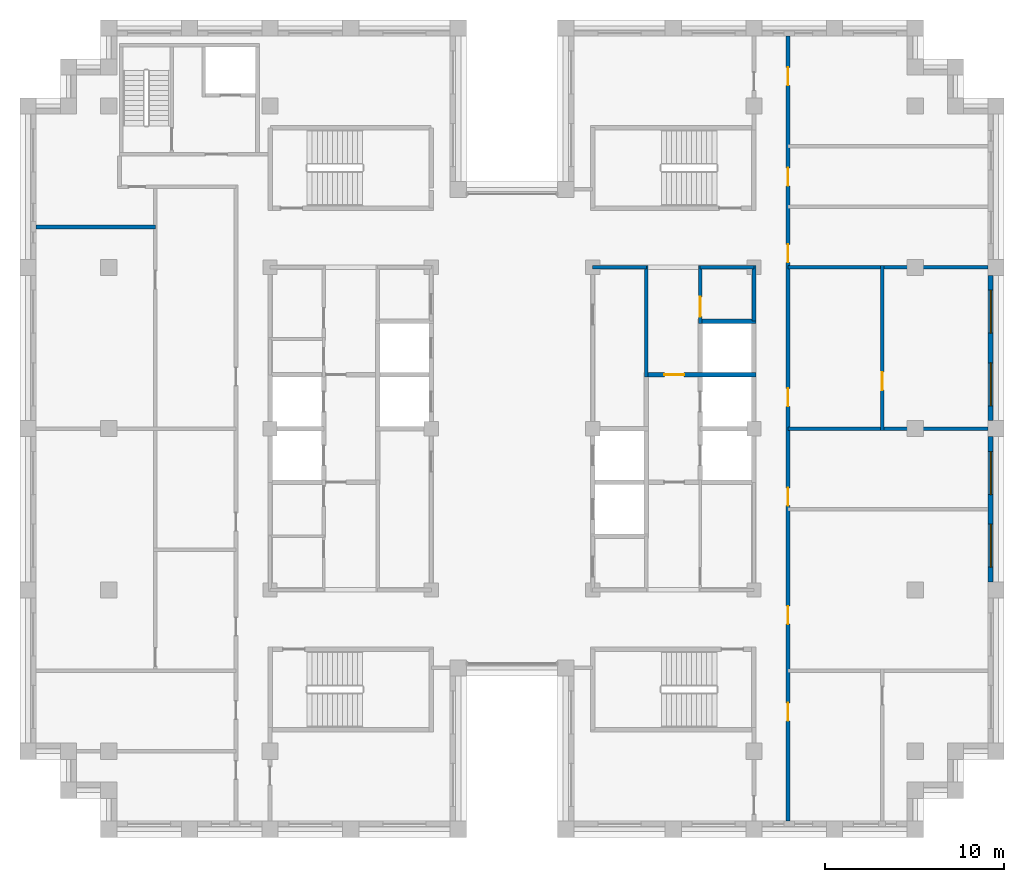
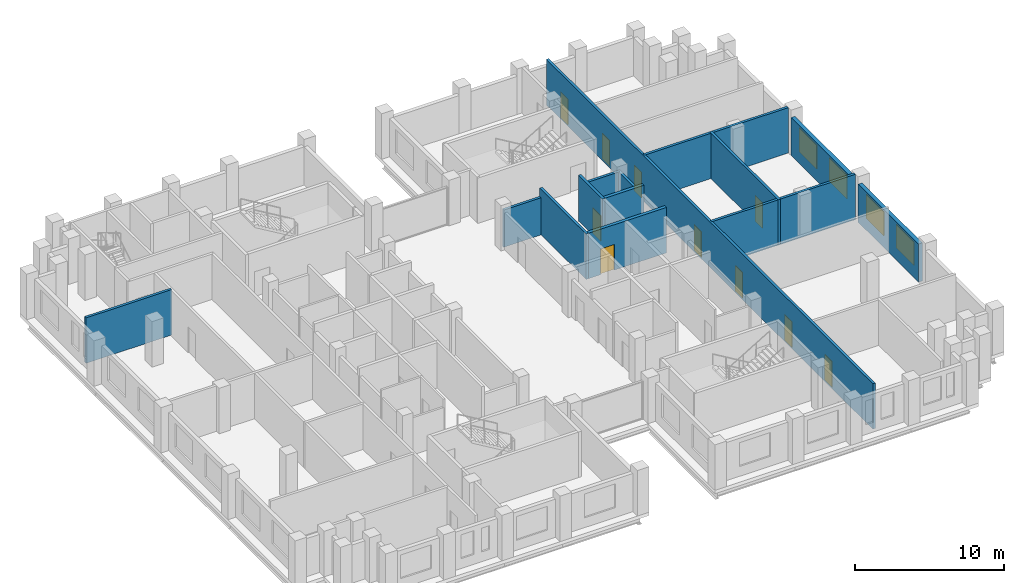
# One storey, part 9 of 13: 14 walls, 10 doors, 4 windows, 14 openings.
"""IFC4 building model written with IfcOpenShell, lengths in metres."""

import ifcopenshell
import ifcopenshell.guid

model = None  # the IFC model being written
_history = None  # IfcOwnerHistory: only IFC2X3 demands one
_inside = {}  # id of a spatial element -> (the spatial element, [elements in it])
_under = {}  # id of a project, library or spatial element -> (it, [spatial elements below it])
_declared = {}  # id of a project -> (the project, [libraries it declares])
_typed = {}  # id of a type object -> (the type object, [elements of that type])
_made_of = {}  # id of a material, layer set ... -> (it, [elements and type objects made of it])


def new_model(schema):
    """Start an empty IFC model of exactly this schema.

    Asked for "IFC4X3", IfcOpenShell would pick the latest addendum, in which some entities
    have other attributes; the version numbers below select the first issue.
    IFC2X3 requires an IfcOwnerHistory on every rooted entity: one is made here for all.
    """
    global model, _history
    if schema == "IFC4X3":
        model = ifcopenshell.file(schema_version=(4, 3, 0, 0))
    else:
        model = ifcopenshell.file(schema=schema)
    _inside.clear()
    _under.clear()
    _declared.clear()
    _typed.clear()
    _made_of.clear()
    _history = None
    if model.schema == "IFC2X3":
        org = make("IfcOrganization", Name="unknown")
        user = make(
            "IfcPersonAndOrganization",
            ThePerson=make("IfcPerson", FamilyName="unknown"),
            TheOrganization=org,
        )
        app = make(
            "IfcApplication",
            ApplicationDeveloper=org,
            Version="unknown",
            ApplicationFullName="unknown",
            ApplicationIdentifier="unknown",
        )
        _history = make(
            "IfcOwnerHistory",
            OwningUser=user,
            OwningApplication=app,
            ChangeAction="ADDED",
            CreationDate=0,
        )
    return model


def make(cls, **values):
    """One entity of the class cls with the attributes given. An attribute that is None is left unset."""
    return model.create_entity(
        cls, **{name: value for name, value in values.items() if value is not None}
    )


def rooted(cls, **values):
    """An entity with a GlobalId (a new one), such as an element, a storey or a relation."""
    return make(cls, GlobalId=ifcopenshell.guid.new(), OwnerHistory=_history, **values)


def si_unit(unit_type, name, prefix=None):
    """IfcSIUnit, for example si_unit("LENGTHUNIT", "METRE", prefix="MILLI")."""
    return make("IfcSIUnit", UnitType=unit_type, Prefix=prefix, Name=name)


def assignment(units):
    """IfcUnitAssignment: the units of a project."""
    return None if units is None else make("IfcUnitAssignment", Units=units)


def point(xyz):
    """IfcCartesianPoint."""
    return None if xyz is None else make("IfcCartesianPoint", Coordinates=xyz)


def direction(xyz):
    """IfcDirection."""
    return None if xyz is None else make("IfcDirection", DirectionRatios=xyz)


def frame(location, z_axis=None, x_axis=None):
    """IfcAxis2Placement3D, a coordinate frame: its origin and axes. An axis left out is left unset."""
    return make(
        "IfcAxis2Placement3D",
        Location=point(location),
        Axis=direction(z_axis),
        RefDirection=direction(x_axis),
    )


def frame_2d(location, x_axis=None):
    """IfcAxis2Placement2D, a coordinate frame in the plane: its origin and x axis."""
    return make(
        "IfcAxis2Placement2D", Location=point(location), RefDirection=direction(x_axis)
    )


def origin():
    """The frame at (0, 0, 0) with its axes left unset."""
    return frame((0.0, 0.0, 0.0))


def place(relative_to, where):
    """IfcLocalPlacement: puts the frame where relative to a parent placement (None: the world)."""
    return make(
        "IfcLocalPlacement", PlacementRelTo=relative_to, RelativePlacement=where
    )


def context(
    kind, dimensions, precision=None, world=None, true_north=None, identifier=None
):
    """IfcGeometricRepresentationContext, for example the 3D "Model" context."""
    return make(
        "IfcGeometricRepresentationContext",
        ContextIdentifier=identifier,
        ContextType=kind,
        CoordinateSpaceDimension=dimensions,
        Precision=precision,
        WorldCoordinateSystem=world,
        TrueNorth=true_north,
    )


def subcontext(parent, identifier, kind, view, scale=None):
    """IfcGeometricRepresentationSubContext, for example "Body" below "Model"."""
    return make(
        "IfcGeometricRepresentationSubContext",
        ContextIdentifier=identifier,
        ContextType=kind,
        ParentContext=parent,
        TargetScale=scale,
        TargetView=view,
    )


def project(units=None, contexts=None):
    """IfcProject with its units and contexts."""
    return rooted(
        "IfcProject",
        Name="project",
        RepresentationContexts=contexts,
        UnitsInContext=assignment(units),
    )


def spatial(cls, under=None, at=None, **own):
    """A site, building, storey or space (cls), placed at a placement, below another one or the project."""
    s = rooted(cls, ObjectPlacement=at, **own)
    if under is not None:
        _under.setdefault(under.id(), (under, []))[1].append(s)
    return s


def profile(cls, at=None, kind="AREA", **sizes):
    """A parametric profile (cls). Its sizes go by their IFC names, for example OverallWidth=200.0."""
    return make(cls, ProfileType=kind, Position=at, **sizes)


def rectangle(**sizes):
    """IfcRectangleProfileDef."""
    return profile("IfcRectangleProfileDef", **sizes)


def extrude(swept, where, along, depth):
    """IfcExtrudedAreaSolid: the profile swept, set in the frame where, extruded along a direction by depth."""
    return make(
        "IfcExtrudedAreaSolid",
        SweptArea=swept,
        Position=where,
        ExtrudedDirection=direction(along),
        Depth=depth,
    )


def shape(context_of_items, identifier, shape_type, items):
    """IfcShapeRepresentation: the items that make up one representation, for example the "Body"."""
    return make(
        "IfcShapeRepresentation",
        ContextOfItems=context_of_items,
        RepresentationIdentifier=identifier,
        RepresentationType=shape_type,
        Items=items,
    )


def material(Name=None, Category=None):
    """IfcMaterial."""
    return make("IfcMaterial", Name=Name, Category=Category)


def layer(
    of_material, thickness, ventilated=None, Name=None, Category=None, Priority=None
):
    """IfcMaterialLayer: one layer of a wall or slab, of a material (None: an air gap)."""
    return make(
        "IfcMaterialLayer",
        Material=of_material,
        LayerThickness=thickness,
        IsVentilated=ventilated,
        Name=Name,
        Category=Category,
        Priority=Priority,
    )


def layer_set(layers, Name=None):
    """IfcMaterialLayerSet."""
    return make("IfcMaterialLayerSet", MaterialLayers=layers, LayerSetName=Name)


def made_of(thing, what):
    """Note that an element or type object is made of a material, layer set ...; save() writes the relation."""
    if what is not None:
        _made_of.setdefault(what.id(), (what, []))[1].append(thing)
    return thing


def type_object(cls, material=None, **own):
    """A type object (cls), such as IfcWallType, which elements share."""
    return made_of(rooted(cls, **own), material)


def element(
    cls,
    number,
    at=None,
    inside=None,
    cuts=None,
    type_object=None,
    material=None,
    context=None,
    identifier="Body",
    shape_type=None,
    held_by="IfcProductDefinitionShape",
    body=None,
    shapes=None,
    **own,
):
    """One element of the class cls, such as IfcWall. Its Tag is "e" and its number.

    at: its placement. inside: the storey or other place that contains it. cuts: it is an
    opening in that element (IfcRelVoidsElement). A single representation is given by context,
    identifier, shape_type and body (its items); several are given by shapes. held_by: the class
    of the entity that holds the representations. save() writes the other relations.
    """
    e = rooted(cls, Tag="e%d" % number, ObjectPlacement=at, **own)
    if body is not None:
        shapes = [shape(context, identifier, shape_type, body)]
    if shapes is not None:
        e.Representation = make(held_by, Representations=shapes)
    if inside is not None:
        _inside.setdefault(inside.id(), (inside, []))[1].append(e)
    if cuts is not None:
        rooted(
            "IfcRelVoidsElement", RelatingBuildingElement=cuts, RelatedOpeningElement=e
        )
    if type_object is not None:
        _typed.setdefault(type_object.id(), (type_object, []))[1].append(e)
    return made_of(e, material)


def fill(opening, filler):
    """IfcRelFillsElement: the door or window that sits in an opening."""
    return rooted(
        "IfcRelFillsElement",
        RelatingOpeningElement=opening,
        RelatedBuildingElement=filler,
    )


def aggregate(whole, parts):
    """IfcRelAggregates: a whole, such as a stair, and the parts it consists of."""
    return rooted("IfcRelAggregates", RelatingObject=whole, RelatedObjects=parts)


def save(model, path):
    """Write the relations noted so far, then the file.

    IfcRelAggregates (storeys below a building ...), IfcRelContainedInSpatialStructure (elements
    in a storey), IfcRelDefinesByType, IfcRelAssociatesMaterial and IfcRelDeclares: one each for
    every whole, place, type object, material and project.
    """
    for whole, parts in _under.values():
        aggregate(whole, parts)
    for where, things in _inside.values():
        rooted(
            "IfcRelContainedInSpatialStructure",
            RelatedElements=things,
            RelatingStructure=where,
        )
    for kind, things in _typed.values():
        rooted("IfcRelDefinesByType", RelatedObjects=things, RelatingType=kind)
    for what, things in _made_of.values():
        rooted("IfcRelAssociatesMaterial", RelatedObjects=things, RelatingMaterial=what)
    for by, libraries in _declared.values():
        rooted("IfcRelDeclares", RelatingContext=by, RelatedDefinitions=libraries)
    model.write(path)


model = new_model("IFC4")

# Units and contexts
model_context = context("Model", 3, precision=1e-05, world=origin(), true_north=direction((0.0, 1.0)))
body_context = subcontext(model_context, "Body", "Model", "MODEL_VIEW")
ifc_project = project(units=[si_unit("LENGTHUNIT", "METRE"), si_unit("AREAUNIT", "SQUARE_METRE"), si_unit("VOLUMEUNIT", "CUBIC_METRE"), si_unit("PLANEANGLEUNIT", "RADIAN"), si_unit("MASSUNIT", "GRAM", prefix="KILO")], contexts=[model_context])

# Site, building, storey
site_placement = place(None, origin())
site = spatial("IfcSite", under=ifc_project, at=site_placement, CompositionType="ELEMENT")
building_placement = place(site_placement, origin())
building = spatial("IfcBuilding", under=site, at=building_placement, Name="Corbelhall Arena Tower", CompositionType="ELEMENT")
storey_placement = place(building_placement, frame((0.0, 0.0, 254.0)))
storey = spatial("IfcBuildingStorey", under=building, at=storey_placement, Name="L54", CompositionType="ELEMENT", Elevation=254.0)

# Wall, openings, windows
ifc_material_1 = material(Name="Precast concrete C40/50 with granite facing", Category="masonry")
ifc_layer_1 = layer(ifc_material_1, 0.300048828125)
ifc_layer_set_1 = layer_set([ifc_layer_1], Name="EV-IW1 Infill panel 300")
wall_type_1 = type_object("IfcWallType", Name="EV-IW1 Infill panel 300", PredefinedType="SOLIDWALL", material=ifc_layer_set_1)
wall_1_placement = place(storey_placement, frame((26.699951171875, -8.550048828125, 0.0), z_axis=(0.0, 0.0, 1.0), x_axis=(0.0, 1.0, 0.0)))
wall_1 = element("IfcWall", 1, at=wall_1_placement, inside=storey, type_object=wall_type_1, Name="Infill panel IW1", PredefinedType="SOLIDWALL", context=body_context, shape_type="SweptSolid", body=[
    extrude(rectangle(XDim=8.10009765625, YDim=0.300048828125, at=frame_2d((4.050048828125, 0.0))), origin(), (0.0, 0.0, 1.0), 3.1201171875),
])
opening_1_placement = place(wall_1_placement, frame((0.824951171875, 0.0, 0.800048828125)))
opening_1 = element("IfcOpeningElement", 2, at=opening_1_placement, cuts=wall_1, Name="Opening WN1", PredefinedType="OPENING", context=body_context, shape_type="SweptSolid", body=[
    extrude(rectangle(XDim=2.39990234375, YDim=1.949951171875, at=frame_2d((1.199951171875, 0.97509765625))), frame((0.0, 0.14990234375, 0.0), z_axis=(0.0, -1.0, 0.0), x_axis=(1.0, 0.0, 0.0)), (0.0, 0.0, 1.0), 0.300048828125),
])
opening_2_placement = place(wall_1_placement, frame((4.875, 0.0, 0.800048828125)))
opening_2 = element("IfcOpeningElement", 3, at=opening_2_placement, cuts=wall_1, Name="Opening WN1", PredefinedType="OPENING", context=body_context, shape_type="SweptSolid", body=[
    extrude(rectangle(XDim=2.39990234375, YDim=1.949951171875, at=frame_2d((1.199951171875, 0.97509765625))), frame((0.0, 0.14990234375, 0.0), z_axis=(0.0, -1.0, 0.0), x_axis=(1.0, 0.0, 0.0)), (0.0, 0.0, 1.0), 0.300048828125),
])
ifc_material_2 = material(Name="Aluminium black anodised", Category="aluminium")
window_type = type_object("IfcWindowType", Name="EV-WN1 Office window", PartitioningType="SINGLE_PANEL", PredefinedType="WINDOW", material=ifc_material_2)
window_1_placement = place(opening_1_placement, origin())
window_1 = element("IfcWindow", 4, at=window_1_placement, inside=storey, type_object=window_type, Name="Window WN1", OverallHeight=1.949951171875, OverallWidth=2.39990234375, PartitioningType="SINGLE_PANEL", PredefinedType="WINDOW", context=body_context, shape_type="SweptSolid", body=[
    extrude(rectangle(XDim=2.39990234375, YDim=1.949951171875, at=frame_2d((1.199951171875, 0.97509765625))), frame((0.0, 0.030029296875, 0.0), z_axis=(0.0, -1.0, 0.0), x_axis=(1.0, 0.0, 0.0)), (0.0, 0.0, 1.0), 0.06005859375),
])
fill(opening_1, window_1)
window_2_placement = place(opening_2_placement, origin())
window_2 = element("IfcWindow", 5, at=window_2_placement, inside=storey, type_object=window_type, Name="Window WN1", OverallHeight=1.949951171875, OverallWidth=2.39990234375, PartitioningType="SINGLE_PANEL", PredefinedType="WINDOW", context=body_context, shape_type="SweptSolid", body=[
    extrude(rectangle(XDim=2.39990234375, YDim=1.949951171875, at=frame_2d((1.199951171875, 0.97509765625))), frame((0.0, 0.030029296875, 0.0), z_axis=(0.0, -1.0, 0.0), x_axis=(1.0, 0.0, 0.0)), (0.0, 0.0, 1.0), 0.06005859375),
])
fill(opening_2, window_2)

wall_2_placement = place(storey_placement, frame((26.699951171875, 0.449951171875, 0.0), z_axis=(0.0, 0.0, 1.0), x_axis=(0.0, 1.0, 0.0)))
wall_2 = element("IfcWall", 6, at=wall_2_placement, inside=storey, type_object=wall_type_1, Name="Infill panel IW1", PredefinedType="SOLIDWALL", context=body_context, shape_type="SweptSolid", body=[
    extrude(rectangle(XDim=8.10009765625, YDim=0.300048828125, at=frame_2d((4.050048828125, 0.0))), origin(), (0.0, 0.0, 1.0), 3.1201171875),
])
opening_3_placement = place(wall_2_placement, frame((0.824951171875, 0.0, 0.800048828125)))
opening_3 = element("IfcOpeningElement", 7, at=opening_3_placement, cuts=wall_2, Name="Opening WN1", PredefinedType="OPENING", context=body_context, shape_type="SweptSolid", body=[
    extrude(rectangle(XDim=2.39990234375, YDim=1.949951171875, at=frame_2d((1.199951171875, 0.97509765625))), frame((0.0, 0.14990234375, 0.0), z_axis=(0.0, -1.0, 0.0), x_axis=(1.0, 0.0, 0.0)), (0.0, 0.0, 1.0), 0.300048828125),
])
opening_4_placement = place(wall_2_placement, frame((4.875, 0.0, 0.800048828125)))
opening_4 = element("IfcOpeningElement", 8, at=opening_4_placement, cuts=wall_2, Name="Opening WN1", PredefinedType="OPENING", context=body_context, shape_type="SweptSolid", body=[
    extrude(rectangle(XDim=2.39990234375, YDim=1.949951171875, at=frame_2d((1.199951171875, 0.97509765625))), frame((0.0, 0.14990234375, 0.0), z_axis=(0.0, -1.0, 0.0), x_axis=(1.0, 0.0, 0.0)), (0.0, 0.0, 1.0), 0.300048828125),
])
window_3_placement = place(opening_3_placement, origin())
window_3 = element("IfcWindow", 9, at=window_3_placement, inside=storey, type_object=window_type, Name="Window WN1", OverallHeight=1.949951171875, OverallWidth=2.39990234375, PartitioningType="SINGLE_PANEL", PredefinedType="WINDOW", context=body_context, shape_type="SweptSolid", body=[
    extrude(rectangle(XDim=2.39990234375, YDim=1.949951171875, at=frame_2d((1.199951171875, 0.97509765625))), frame((0.0, 0.030029296875, 0.0), z_axis=(0.0, -1.0, 0.0), x_axis=(1.0, 0.0, 0.0)), (0.0, 0.0, 1.0), 0.06005859375),
])
fill(opening_3, window_3)
window_4_placement = place(opening_4_placement, origin())
window_4 = element("IfcWindow", 10, at=window_4_placement, inside=storey, type_object=window_type, Name="Window WN1", OverallHeight=1.949951171875, OverallWidth=2.39990234375, PartitioningType="SINGLE_PANEL", PredefinedType="WINDOW", context=body_context, shape_type="SweptSolid", body=[
    extrude(rectangle(XDim=2.39990234375, YDim=1.949951171875, at=frame_2d((1.199951171875, 0.97509765625))), frame((0.0, 0.030029296875, 0.0), z_axis=(0.0, -1.0, 0.0), x_axis=(1.0, 0.0, 0.0)), (0.0, 0.0, 1.0), 0.06005859375),
])
fill(opening_4, window_4)

# Wall
ifc_material_3 = material(Name="Gypsum board on steel stud, acoustic", Category="steel")
ifc_layer_2 = layer(ifc_material_3, 0.199951171875)
ifc_layer_set_2 = layer_set([ifc_layer_2], Name="IN-W-DM200")
wall_type_2 = type_object("IfcWallType", Name="IN-W-DM200", PredefinedType="PARTITIONING", material=ifc_layer_set_2)
wall_3_placement = place(storey_placement, frame((-26.550048828125, 11.25, 0.0), z_axis=(0.0, 0.0, 1.0), x_axis=(1.0, 0.0, 0.0)))
element("IfcWall", 11, at=wall_3_placement, inside=storey, type_object=wall_type_2, Name="Partition 002", PredefinedType="PARTITIONING", context=body_context, shape_type="SweptSolid", body=[
    extrude(rectangle(XDim=6.650146484375, YDim=0.199951171875, at=frame_2d((3.3251953125, 0.0))), origin(), (0.0, 0.0, 1.0), 3.719970703125),
])

# Wall, openings, doors
wall_4_placement = place(storey_placement, frame((15.39990234375, 21.89990234375, 0.0), z_axis=(0.0, 0.0, 1.0), x_axis=(0.0, -1.0, 0.0)))
wall_4 = element("IfcWall", 12, at=wall_4_placement, inside=storey, type_object=wall_type_2, Name="Partition 017", PredefinedType="PARTITIONING", context=body_context, shape_type="SweptSolid", body=[
    extrude(rectangle(XDim=43.7998046875, YDim=0.199951171875, at=frame_2d((21.89990234375, 0.0))), origin(), (0.0, 0.0, 1.0), 3.719970703125),
])
opening_5_placement = place(wall_4_placement, frame((19.64990234375, 0.0, 0.0)))
opening_5 = element("IfcOpeningElement", 13, at=opening_5_placement, cuts=wall_4, Name="Opening 17029", PredefinedType="OPENING", context=body_context, shape_type="SweptSolid", body=[
    extrude(rectangle(XDim=1.0, YDim=2.10009765625, at=frame_2d((0.5, 1.050048828125))), frame((0.0, 0.10009765625, 0.0), z_axis=(0.0, -1.0, 0.0), x_axis=(1.0, 0.0, 0.0)), (0.0, 0.0, 1.0), 0.199951171875),
])
opening_6_placement = place(wall_4_placement, frame((11.625, 0.0, 0.0)))
opening_6 = element("IfcOpeningElement", 14, at=opening_6_placement, cuts=wall_4, Name="Opening 17031", PredefinedType="OPENING", context=body_context, shape_type="SweptSolid", body=[
    extrude(rectangle(XDim=1.0, YDim=2.10009765625, at=frame_2d((0.5, 1.050048828125))), frame((0.0, 0.10009765625, 0.0), z_axis=(0.0, -1.0, 0.0), x_axis=(1.0, 0.0, 0.0)), (0.0, 0.0, 1.0), 0.199951171875),
])
opening_7_placement = place(wall_4_placement, frame((7.35009765625, 0.0, 0.0)))
opening_7 = element("IfcOpeningElement", 15, at=opening_7_placement, cuts=wall_4, Name="Opening 17032", PredefinedType="OPENING", context=body_context, shape_type="SweptSolid", body=[
    extrude(rectangle(XDim=1.0, YDim=2.10009765625, at=frame_2d((0.5, 1.050048828125))), frame((0.0, 0.10009765625, 0.0), z_axis=(0.0, -1.0, 0.0), x_axis=(1.0, 0.0, 0.0)), (0.0, 0.0, 1.0), 0.199951171875),
])
opening_8_placement = place(wall_4_placement, frame((1.75, 0.0, 0.0)))
opening_8 = element("IfcOpeningElement", 16, at=opening_8_placement, cuts=wall_4, Name="Opening 17033", PredefinedType="OPENING", context=body_context, shape_type="SweptSolid", body=[
    extrude(rectangle(XDim=1.0, YDim=2.10009765625, at=frame_2d((0.5, 1.050048828125))), frame((0.0, 0.10009765625, 0.0), z_axis=(0.0, -1.0, 0.0), x_axis=(1.0, 0.0, 0.0)), (0.0, 0.0, 1.0), 0.199951171875),
])
opening_9_placement = place(wall_4_placement, frame((37.199951171875, 0.0, 0.0)))
opening_9 = element("IfcOpeningElement", 17, at=opening_9_placement, cuts=wall_4, Name="Opening 17034", PredefinedType="OPENING", context=body_context, shape_type="SweptSolid", body=[
    extrude(rectangle(XDim=1.0, YDim=2.10009765625, at=frame_2d((0.5, 1.050048828125))), frame((0.0, 0.10009765625, 0.0), z_axis=(0.0, -1.0, 0.0), x_axis=(1.0, 0.0, 0.0)), (0.0, 0.0, 1.0), 0.199951171875),
])
opening_10_placement = place(wall_4_placement, frame((31.800048828125, 0.0, 0.0)))
opening_10 = element("IfcOpeningElement", 18, at=opening_10_placement, cuts=wall_4, Name="Opening 17036", PredefinedType="OPENING", context=body_context, shape_type="SweptSolid", body=[
    extrude(rectangle(XDim=1.0, YDim=2.10009765625, at=frame_2d((0.5, 1.050048828125))), frame((0.0, 0.10009765625, 0.0), z_axis=(0.0, -1.0, 0.0), x_axis=(1.0, 0.0, 0.0)), (0.0, 0.0, 1.0), 0.199951171875),
])
opening_11_placement = place(wall_4_placement, frame((25.199951171875, 0.0, 0.0)))
opening_11 = element("IfcOpeningElement", 19, at=opening_11_placement, cuts=wall_4, Name="Opening 17037", PredefinedType="OPENING", context=body_context, shape_type="SweptSolid", body=[
    extrude(rectangle(XDim=1.0, YDim=2.10009765625, at=frame_2d((0.5, 1.050048828125))), frame((0.0, 0.10009765625, 0.0), z_axis=(0.0, -1.0, 0.0), x_axis=(1.0, 0.0, 0.0)), (0.0, 0.0, 1.0), 0.199951171875),
])
ifc_material_4 = material(Name="Steel door set", Category="steel")
door_type_1 = type_object("IfcDoorType", Name="IN-D-SW100", OperationType="NOTDEFINED", PredefinedType="DOOR", material=ifc_material_4)
door_1_placement = place(opening_5_placement, origin())
door_1 = element("IfcDoor", 20, at=door_1_placement, inside=storey, type_object=door_type_1, Name="Door 029", OperationType="SINGLE_SWING_RIGHT", OverallHeight=2.10009765625, OverallWidth=1.0, PredefinedType="DOOR", context=body_context, shape_type="SweptSolid", body=[
    extrude(rectangle(XDim=1.0, YDim=2.10009765625, at=frame_2d((0.5, 1.050048828125))), frame((0.0, 0.02490234375, 0.0), z_axis=(0.0, -1.0, 0.0), x_axis=(1.0, 0.0, 0.0)), (0.0, 0.0, 1.0), 0.050048828125),
])
fill(opening_5, door_1)
door_2_placement = place(opening_6_placement, origin())
door_2 = element("IfcDoor", 21, at=door_2_placement, inside=storey, type_object=door_type_1, Name="Door 031", OperationType="SINGLE_SWING_RIGHT", OverallHeight=2.10009765625, OverallWidth=1.0, PredefinedType="DOOR", context=body_context, shape_type="SweptSolid", body=[
    extrude(rectangle(XDim=1.0, YDim=2.10009765625, at=frame_2d((0.5, 1.050048828125))), frame((0.0, 0.02490234375, 0.0), z_axis=(0.0, -1.0, 0.0), x_axis=(1.0, 0.0, 0.0)), (0.0, 0.0, 1.0), 0.050048828125),
])
fill(opening_6, door_2)
door_3_placement = place(opening_7_placement, origin())
door_3 = element("IfcDoor", 22, at=door_3_placement, inside=storey, type_object=door_type_1, Name="Door 032", OperationType="SINGLE_SWING_LEFT", OverallHeight=2.10009765625, OverallWidth=1.0, PredefinedType="DOOR", context=body_context, shape_type="SweptSolid", body=[
    extrude(rectangle(XDim=1.0, YDim=2.10009765625, at=frame_2d((0.5, 1.050048828125))), frame((0.0, 0.02490234375, 0.0), z_axis=(0.0, -1.0, 0.0), x_axis=(1.0, 0.0, 0.0)), (0.0, 0.0, 1.0), 0.050048828125),
])
fill(opening_7, door_3)
door_4_placement = place(opening_8_placement, origin())
door_4 = element("IfcDoor", 23, at=door_4_placement, inside=storey, type_object=door_type_1, Name="Door 033", OperationType="SINGLE_SWING_RIGHT", OverallHeight=2.10009765625, OverallWidth=1.0, PredefinedType="DOOR", context=body_context, shape_type="SweptSolid", body=[
    extrude(rectangle(XDim=1.0, YDim=2.10009765625, at=frame_2d((0.5, 1.050048828125))), frame((0.0, 0.02490234375, 0.0), z_axis=(0.0, -1.0, 0.0), x_axis=(1.0, 0.0, 0.0)), (0.0, 0.0, 1.0), 0.050048828125),
])
fill(opening_8, door_4)
door_5_placement = place(opening_9_placement, origin())
door_5 = element("IfcDoor", 24, at=door_5_placement, inside=storey, type_object=door_type_1, Name="Door 034", OperationType="SINGLE_SWING_LEFT", OverallHeight=2.10009765625, OverallWidth=1.0, PredefinedType="DOOR", context=body_context, shape_type="SweptSolid", body=[
    extrude(rectangle(XDim=1.0, YDim=2.10009765625, at=frame_2d((0.5, 1.050048828125))), frame((0.0, 0.02490234375, 0.0), z_axis=(0.0, -1.0, 0.0), x_axis=(1.0, 0.0, 0.0)), (0.0, 0.0, 1.0), 0.050048828125),
])
fill(opening_9, door_5)
door_6_placement = place(opening_10_placement, origin())
door_6 = element("IfcDoor", 25, at=door_6_placement, inside=storey, type_object=door_type_1, Name="Door 036", OperationType="SINGLE_SWING_LEFT", OverallHeight=2.10009765625, OverallWidth=1.0, PredefinedType="DOOR", context=body_context, shape_type="SweptSolid", body=[
    extrude(rectangle(XDim=1.0, YDim=2.10009765625, at=frame_2d((0.5, 1.050048828125))), frame((0.0, 0.02490234375, 0.0), z_axis=(0.0, -1.0, 0.0), x_axis=(1.0, 0.0, 0.0)), (0.0, 0.0, 1.0), 0.050048828125),
])
fill(opening_10, door_6)
door_7_placement = place(opening_11_placement, origin())
door_7 = element("IfcDoor", 26, at=door_7_placement, inside=storey, type_object=door_type_1, Name="Door 037", OperationType="SINGLE_SWING_RIGHT", OverallHeight=2.10009765625, OverallWidth=1.0, PredefinedType="DOOR", context=body_context, shape_type="SweptSolid", body=[
    extrude(rectangle(XDim=1.0, YDim=2.10009765625, at=frame_2d((0.5, 1.050048828125))), frame((0.0, 0.02490234375, 0.0), z_axis=(0.0, -1.0, 0.0), x_axis=(1.0, 0.0, 0.0)), (0.0, 0.0, 1.0), 0.050048828125),
])
fill(opening_11, door_7)

# Walls
for number, where, z_axis, x_axis, name in (
    (27, (15.39990234375, 9.0, 0.0), (0.0, 0.0, 1.0), (1.0, 0.0, 0.0), "Partition 019"),
    (28, (26.550048828125, 0.0, 0.0), (0.0, 0.0, 1.0), (-1.0, 0.0, 0.0), "Partition 023"),
):
    element("IfcWall", number, at=place(storey_placement, frame(where, z_axis=z_axis, x_axis=x_axis)), inside=storey, type_object=wall_type_2, Name=name, PredefinedType="PARTITIONING", context=body_context, shape_type="SweptSolid", body=[
        extrude(rectangle(XDim=11.150146484375, YDim=0.199951171875, at=frame_2d((5.5751953125, 0.0))), origin(), (0.0, 0.0, 1.0), 3.719970703125),
    ])

# Wall, opening, door
wall_5_placement = place(storey_placement, frame((20.64990234375, 9.10009765625, 0.0), z_axis=(0.0, 0.0, 1.0), x_axis=(0.0, -1.0, 0.0)))
wall_5 = element("IfcWall", 29, at=wall_5_placement, inside=storey, type_object=wall_type_2, Name="Partition 024", PredefinedType="PARTITIONING", context=body_context, shape_type="SweptSolid", body=[
    extrude(rectangle(XDim=9.2001953125, YDim=0.199951171875, at=frame_2d((4.60009765625, 0.0))), origin(), (0.0, 0.0, 1.0), 3.719970703125),
])
opening_12_placement = place(wall_5_placement, frame((5.949951171875, 0.0, 0.0)))
opening_12 = element("IfcOpeningElement", 30, at=opening_12_placement, cuts=wall_5, Name="Opening 17030", PredefinedType="OPENING", context=body_context, shape_type="SweptSolid", body=[
    extrude(rectangle(XDim=1.0, YDim=2.10009765625, at=frame_2d((0.5, 1.050048828125))), frame((0.0, 0.10009765625, 0.0), z_axis=(0.0, -1.0, 0.0), x_axis=(1.0, 0.0, 0.0)), (0.0, 0.0, 1.0), 0.199951171875),
])
door_8_placement = place(opening_12_placement, origin())
door_8 = element("IfcDoor", 31, at=door_8_placement, inside=storey, type_object=door_type_1, Name="Door 030", OperationType="SINGLE_SWING_LEFT", OverallHeight=2.10009765625, OverallWidth=1.0, PredefinedType="DOOR", context=body_context, shape_type="SweptSolid", body=[
    extrude(rectangle(XDim=1.0, YDim=2.10009765625, at=frame_2d((0.5, 1.050048828125))), frame((0.0, 0.02490234375, 0.0), z_axis=(0.0, -1.0, 0.0), x_axis=(1.0, 0.0, 0.0)), (0.0, 0.0, 1.0), 0.050048828125),
])
fill(opening_12, door_8)

# Wall
ifc_material_5 = material(Name="Concrete block wall", Category="concrete")
ifc_layer_3 = layer(ifc_material_5, 0.199951171875)
ifc_layer_set_3 = layer_set([ifc_layer_3], Name="IN-W-RS200")
wall_type_3 = type_object("IfcWallType", Name="IN-W-RS200", PredefinedType="SOLIDWALL", material=ifc_layer_set_3)
wall_6_placement = place(storey_placement, frame((7.5, 9.10009765625, 0.0), z_axis=(0.0, 0.0, 1.0), x_axis=(0.0, -1.0, 0.0)))
element("IfcWall", 32, at=wall_6_placement, inside=storey, type_object=wall_type_3, Name="Partition 041", PredefinedType="SOLIDWALL", context=body_context, shape_type="SweptSolid", body=[
    extrude(rectangle(XDim=6.22509765625, YDim=0.199951171875, at=frame_2d((3.112548828125, 0.0))), origin(), (0.0, 0.0, 1.0), 3.719970703125),
])

# Wall, opening, door
wall_7_placement = place(storey_placement, frame((10.5, 9.10009765625, 0.0), z_axis=(0.0, 0.0, 1.0), x_axis=(0.0, -1.0, 0.0)))
wall_7 = element("IfcWall", 33, at=wall_7_placement, inside=storey, type_object=wall_type_3, Name="Partition 043", PredefinedType="SOLIDWALL", context=body_context, shape_type="SweptSolid", body=[
    extrude(rectangle(XDim=3.22509765625, YDim=0.199951171875, at=frame_2d((1.612548828125, 0.0))), origin(), (0.0, 0.0, 1.0), 3.719970703125),
])
opening_13_placement = place(wall_7_placement, frame((1.75, 0.0, 0.0)))
opening_13 = element("IfcOpeningElement", 34, at=opening_13_placement, cuts=wall_7, Name="Opening 17014", PredefinedType="OPENING", context=body_context, shape_type="SweptSolid", body=[
    extrude(rectangle(XDim=1.10009765625, YDim=2.10009765625, at=frame_2d((0.550048828125, 1.050048828125))), frame((0.0, 0.10009765625, 0.0), z_axis=(0.0, -1.0, 0.0), x_axis=(1.0, 0.0, 0.0)), (0.0, 0.0, 1.0), 0.199951171875),
])
door_type_2 = type_object("IfcDoorType", Name="IN-D-FD110", OperationType="NOTDEFINED", PredefinedType="DOOR", material=ifc_material_4)
door_9_placement = place(opening_13_placement, origin())
door_9 = element("IfcDoor", 35, at=door_9_placement, inside=storey, type_object=door_type_2, Name="Door 014", OperationType="SINGLE_SWING_LEFT", OverallHeight=2.10009765625, OverallWidth=1.10009765625, PredefinedType="DOOR", context=body_context, shape_type="SweptSolid", body=[
    extrude(rectangle(XDim=1.10009765625, YDim=2.10009765625, at=frame_2d((0.550048828125, 1.050048828125))), frame((0.0, 0.02490234375, 0.0), z_axis=(0.0, -1.0, 0.0), x_axis=(1.0, 0.0, 0.0)), (0.0, 0.0, 1.0), 0.050048828125),
])
fill(opening_13, door_9)

# Walls
ifc_layer_4 = layer(ifc_material_5, 0.199951171875)
ifc_layer_set_4 = layer_set([ifc_layer_4], Name="IN-W-RS200 under beam 678 mm")
wall_type_4 = type_object("IfcWallType", Name="IN-W-RS200 under beam 678 mm", PredefinedType="SOLIDWALL", material=ifc_layer_set_4)
for number, where, z_axis, x_axis, name in (
    (36, (4.5, 9.0, 0.0), (0.0, 0.0, 1.0), (1.0, 0.0, 0.0), "Partition 038"),
    (37, (10.5, 9.0, 0.0), (0.0, 0.0, 1.0), (1.0, 0.0, 0.0), "Partition 042"),
):
    element("IfcWall", number, at=place(storey_placement, frame(where, z_axis=z_axis, x_axis=x_axis)), inside=storey, type_object=wall_type_4, Name=name, PredefinedType="SOLIDWALL", context=body_context, shape_type="SweptSolid", body=[
        extrude(rectangle(XDim=3.0, YDim=0.199951171875, at=frame_2d((1.5, 0.0))), origin(), (0.0, 0.0, 1.0), 3.041748046875),
    ])
wall_8_placement = place(storey_placement, frame((13.5, 9.10009765625, 0.0), z_axis=(0.0, 0.0, 1.0), x_axis=(0.0, -1.0, 0.0)))
element("IfcWall", 38, at=wall_8_placement, inside=storey, type_object=wall_type_4, Name="Partition 044", PredefinedType="SOLIDWALL", context=body_context, shape_type="SweptSolid", body=[
    extrude(rectangle(XDim=3.10009765625, YDim=0.199951171875, at=frame_2d((1.550048828125, 0.0))), origin(), (0.0, 0.0, 1.0), 3.041748046875),
])

# Wall, opening, door
ifc_material_6 = material(Name="Concrete C40/50", Category="concrete")
ifc_layer_5 = layer(ifc_material_6, 0.25)
ifc_layer_set_5 = layer_set([ifc_layer_5], Name="IN-W-SH250")
wall_type_5 = type_object("IfcWallType", Name="IN-W-SH250", PredefinedType="SOLIDWALL", material=ifc_layer_set_5)
wall_9_placement = place(storey_placement, frame((7.5, 3.0, 0.0), z_axis=(0.0, 0.0, 1.0), x_axis=(1.0, 0.0, 0.0)))
wall_9 = element("IfcWall", 39, at=wall_9_placement, inside=storey, type_object=wall_type_5, Name="Shaft wall 059", PredefinedType="SOLIDWALL", context=body_context, shape_type="SweptSolid", body=[
    extrude(rectangle(XDim=6.125, YDim=0.25, at=frame_2d((3.0625, 0.0))), origin(), (0.0, 0.0, 1.0), 3.719970703125),
])
opening_14_placement = place(wall_9_placement, frame((1.0, 0.0, 0.0)))
opening_14 = element("IfcOpeningElement", 40, at=opening_14_placement, cuts=wall_9, Name="Opening 17012", PredefinedType="OPENING", context=body_context, shape_type="SweptSolid", body=[
    extrude(rectangle(XDim=1.10009765625, YDim=2.10009765625, at=frame_2d((0.550048828125, 1.050048828125))), frame((0.0, 0.125, 0.0), z_axis=(0.0, -1.0, 0.0), x_axis=(1.0, 0.0, 0.0)), (0.0, 0.0, 1.0), 0.25),
])
door_10_placement = place(opening_14_placement, origin())
door_10 = element("IfcDoor", 41, at=door_10_placement, inside=storey, type_object=door_type_2, Name="Door 012", OperationType="SINGLE_SWING_LEFT", OverallHeight=2.10009765625, OverallWidth=1.10009765625, PredefinedType="DOOR", context=body_context, shape_type="SweptSolid", body=[
    extrude(rectangle(XDim=1.10009765625, YDim=2.10009765625, at=frame_2d((0.550048828125, 1.050048828125))), frame((0.0, 0.02490234375, 0.0), z_axis=(0.0, -1.0, 0.0), x_axis=(1.0, 0.0, 0.0)), (0.0, 0.0, 1.0), 0.050048828125),
])
fill(opening_14, door_10)

# Wall
wall_10_placement = place(storey_placement, frame((10.5, 6.0, 0.0), z_axis=(0.0, 0.0, 1.0), x_axis=(1.0, 0.0, 0.0)))
element("IfcWall", 42, at=wall_10_placement, inside=storey, type_object=wall_type_5, Name="Shaft wall 062", PredefinedType="SOLIDWALL", context=body_context, shape_type="SweptSolid", body=[
    extrude(rectangle(XDim=3.125, YDim=0.25, at=frame_2d((1.5625, 0.0))), origin(), (0.0, 0.0, 1.0), 3.719970703125),
])

save(model, "model.ifc")
